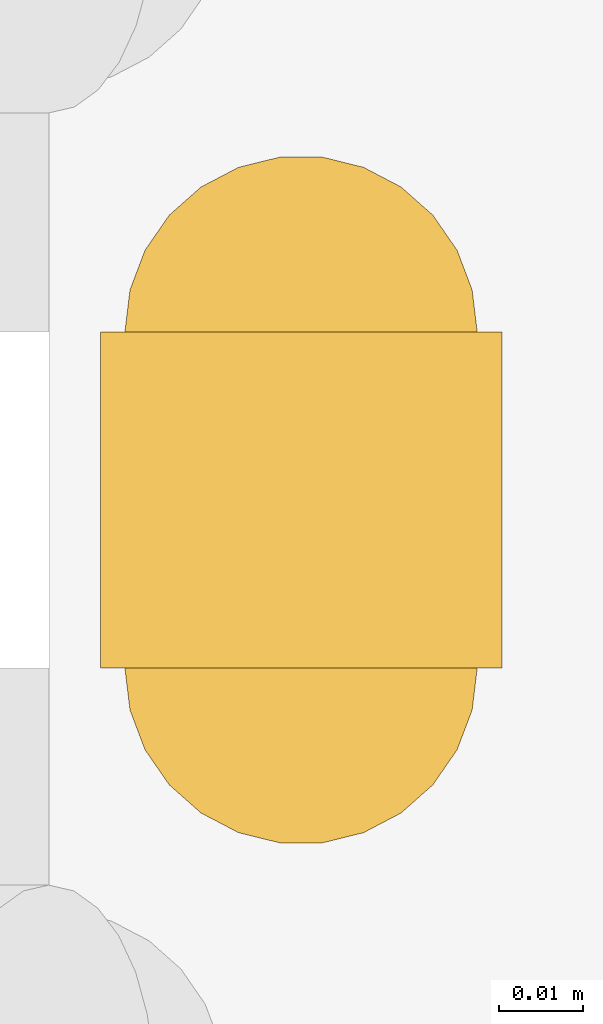
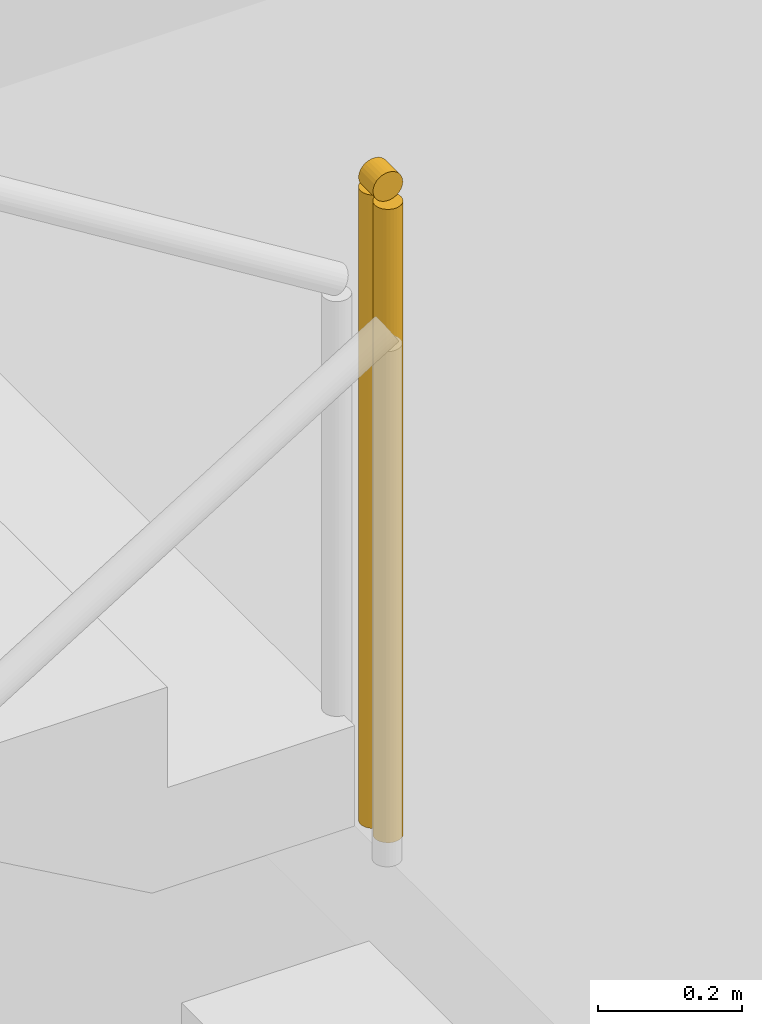
# One storey, part 133 of 134: 1 railing.
"""IFC4 building model written with IfcOpenShell, lengths in metres."""

from ifc_helpers import new_model, si_unit, direction, frame, origin, origin_2d, place, context, subcontext, project, spatial, circle, extrude, material, type_object, element, save


model = new_model("IFC4")

# Units and contexts
model_context = context("Model", 3, precision=1e-05, world=origin(), true_north=direction((0.0, 1.0)))
body_context = subcontext(model_context, "Body", "Model", "MODEL_VIEW")
ifc_project = project(units=[si_unit("LENGTHUNIT", "METRE"), si_unit("AREAUNIT", "SQUARE_METRE"), si_unit("VOLUMEUNIT", "CUBIC_METRE"), si_unit("PLANEANGLEUNIT", "RADIAN"), si_unit("MASSUNIT", "GRAM", prefix="KILO")], contexts=[model_context])

# Site, building, storey
site_placement = place(None, origin())
site = spatial("IfcSite", under=ifc_project, at=site_placement, CompositionType="ELEMENT")
building_placement = place(site_placement, origin())
building = spatial("IfcBuilding", under=site, at=building_placement, Name="Asteropetra Specialist Clinic", CompositionType="ELEMENT")
storey_placement = place(building_placement, frame((0.0, 0.0, 8.5)))
storey = spatial("IfcBuildingStorey", under=building, at=storey_placement, Name="L02", CompositionType="ELEMENT", Elevation=8.5)

# Railing
ifc_material = material(Name="Steel S355 and laminated glass guard", Category="steel")
railing_type = type_object("IfcRailingType", Name="GRD-INT-1120", PredefinedType="GUARDRAIL", material=ifc_material)
railing_placement = place(storey_placement, frame((130.080078125, 45.669921875, 2.0400390625)))
element("IfcRailing", 1, at=railing_placement, inside=storey, type_object=railing_type, Name="Landing Slot Guard ST09-L02", PredefinedType="GUARDRAIL", context=body_context, shape_type="SweptSolid", body=[
    extrude(circle(Radius=0.02392578125, at=origin_2d()), frame((0.0, 0.0, 1.09619140625), z_axis=(0.0, 1.0, 0.0), x_axis=(-1.0, 0.0, 0.0)), (0.0, 0.0, 1.0), 0.0400390625),
    extrude(circle(Radius=0.02099609375, at=origin_2d()), origin(), (0.0, 0.0, 1.0), 1.072021484375),
    extrude(circle(Radius=0.02099609375, at=origin_2d()), frame((0.0, 0.0400390625, 0.0)), (0.0, 0.0, 1.0), 1.072021484375),
])

save(model, "model.ifc")
